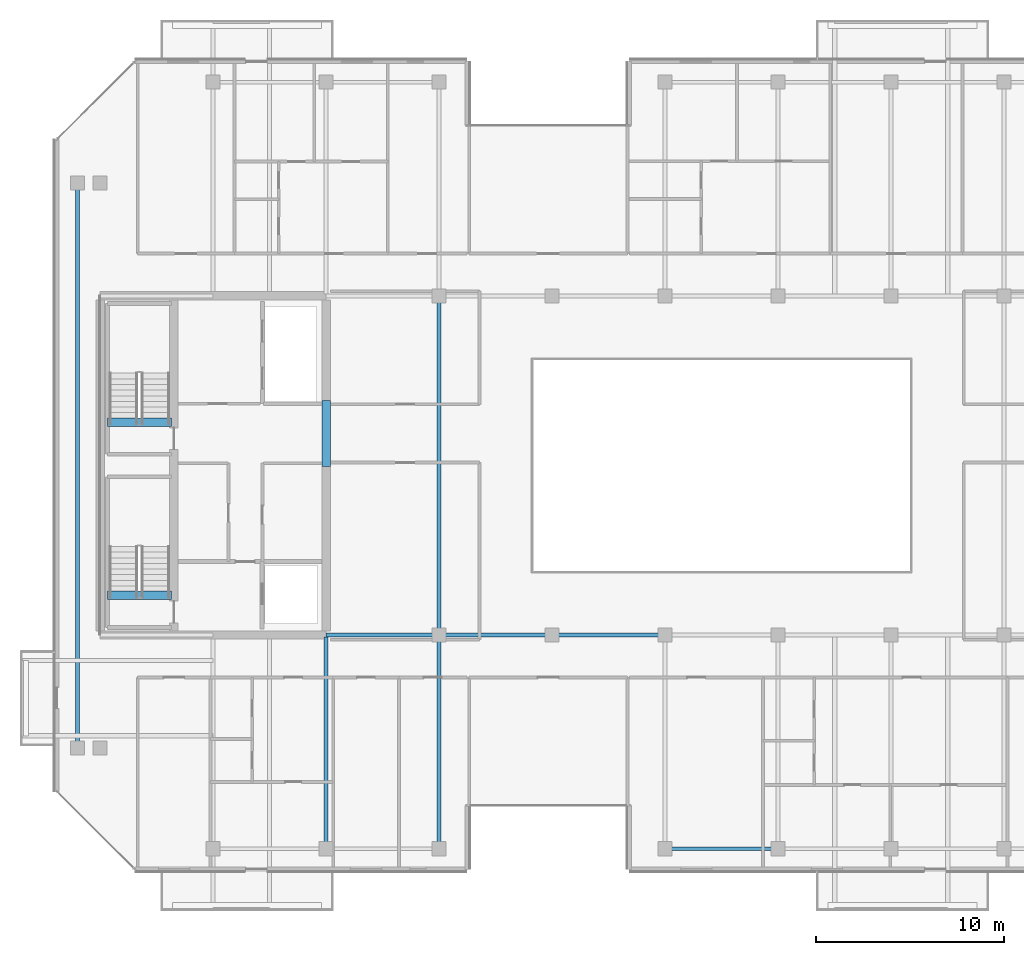
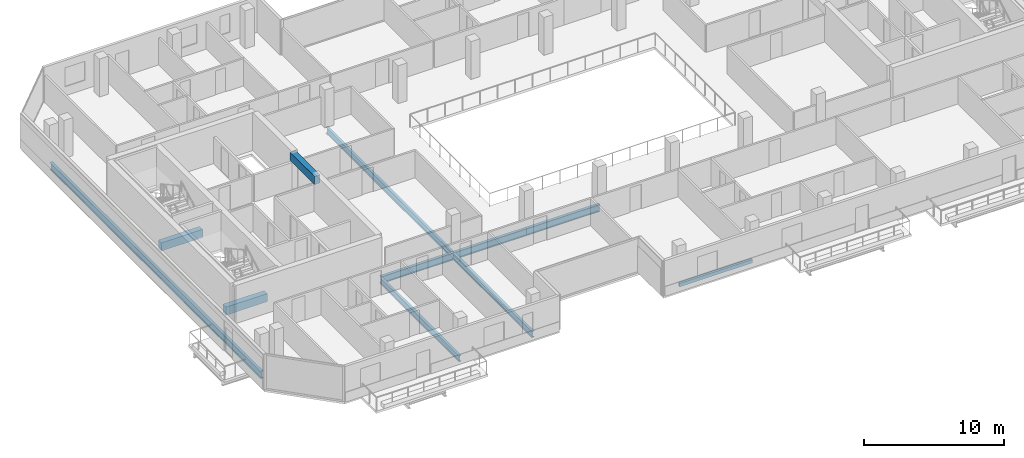
# One storey, part 5 of 28: 11 beams.
"""IFC4 building model written with IfcOpenShell, lengths in metres."""

import ifcopenshell
import ifcopenshell.guid

model = None  # the IFC model being written
_history = None  # IfcOwnerHistory: only IFC2X3 demands one
_inside = {}  # id of a spatial element -> (the spatial element, [elements in it])
_under = {}  # id of a project, library or spatial element -> (it, [spatial elements below it])
_declared = {}  # id of a project -> (the project, [libraries it declares])
_typed = {}  # id of a type object -> (the type object, [elements of that type])
_made_of = {}  # id of a material, layer set ... -> (it, [elements and type objects made of it])


def new_model(schema):
    """Start an empty IFC model of exactly this schema.

    Asked for "IFC4X3", IfcOpenShell would pick the latest addendum, in which some entities
    have other attributes; the version numbers below select the first issue.
    IFC2X3 requires an IfcOwnerHistory on every rooted entity: one is made here for all.
    """
    global model, _history
    if schema == "IFC4X3":
        model = ifcopenshell.file(schema_version=(4, 3, 0, 0))
    else:
        model = ifcopenshell.file(schema=schema)
    _inside.clear()
    _under.clear()
    _declared.clear()
    _typed.clear()
    _made_of.clear()
    _history = None
    if model.schema == "IFC2X3":
        org = make("IfcOrganization", Name="unknown")
        user = make(
            "IfcPersonAndOrganization",
            ThePerson=make("IfcPerson", FamilyName="unknown"),
            TheOrganization=org,
        )
        app = make(
            "IfcApplication",
            ApplicationDeveloper=org,
            Version="unknown",
            ApplicationFullName="unknown",
            ApplicationIdentifier="unknown",
        )
        _history = make(
            "IfcOwnerHistory",
            OwningUser=user,
            OwningApplication=app,
            ChangeAction="ADDED",
            CreationDate=0,
        )
    return model


def make(cls, **values):
    """One entity of the class cls with the attributes given. An attribute that is None is left unset."""
    return model.create_entity(
        cls, **{name: value for name, value in values.items() if value is not None}
    )


def rooted(cls, **values):
    """An entity with a GlobalId (a new one), such as an element, a storey or a relation."""
    return make(cls, GlobalId=ifcopenshell.guid.new(), OwnerHistory=_history, **values)


def si_unit(unit_type, name, prefix=None):
    """IfcSIUnit, for example si_unit("LENGTHUNIT", "METRE", prefix="MILLI")."""
    return make("IfcSIUnit", UnitType=unit_type, Prefix=prefix, Name=name)


def assignment(units):
    """IfcUnitAssignment: the units of a project."""
    return None if units is None else make("IfcUnitAssignment", Units=units)


def point(xyz):
    """IfcCartesianPoint."""
    return None if xyz is None else make("IfcCartesianPoint", Coordinates=xyz)


def direction(xyz):
    """IfcDirection."""
    return None if xyz is None else make("IfcDirection", DirectionRatios=xyz)


def frame(location, z_axis=None, x_axis=None):
    """IfcAxis2Placement3D, a coordinate frame: its origin and axes. An axis left out is left unset."""
    return make(
        "IfcAxis2Placement3D",
        Location=point(location),
        Axis=direction(z_axis),
        RefDirection=direction(x_axis),
    )


def frame_2d(location, x_axis=None):
    """IfcAxis2Placement2D, a coordinate frame in the plane: its origin and x axis."""
    return make(
        "IfcAxis2Placement2D", Location=point(location), RefDirection=direction(x_axis)
    )


def origin():
    """The frame at (0, 0, 0) with its axes left unset."""
    return frame((0.0, 0.0, 0.0))


def origin_2d():
    """The frame at (0, 0) in the plane with its x axis left unset."""
    return frame_2d((0.0, 0.0))


def place(relative_to, where):
    """IfcLocalPlacement: puts the frame where relative to a parent placement (None: the world)."""
    return make(
        "IfcLocalPlacement", PlacementRelTo=relative_to, RelativePlacement=where
    )


def context(
    kind, dimensions, precision=None, world=None, true_north=None, identifier=None
):
    """IfcGeometricRepresentationContext, for example the 3D "Model" context."""
    return make(
        "IfcGeometricRepresentationContext",
        ContextIdentifier=identifier,
        ContextType=kind,
        CoordinateSpaceDimension=dimensions,
        Precision=precision,
        WorldCoordinateSystem=world,
        TrueNorth=true_north,
    )


def subcontext(parent, identifier, kind, view, scale=None):
    """IfcGeometricRepresentationSubContext, for example "Body" below "Model"."""
    return make(
        "IfcGeometricRepresentationSubContext",
        ContextIdentifier=identifier,
        ContextType=kind,
        ParentContext=parent,
        TargetScale=scale,
        TargetView=view,
    )


def project(units=None, contexts=None):
    """IfcProject with its units and contexts."""
    return rooted(
        "IfcProject",
        Name="project",
        RepresentationContexts=contexts,
        UnitsInContext=assignment(units),
    )


def spatial(cls, under=None, at=None, **own):
    """A site, building, storey or space (cls), placed at a placement, below another one or the project."""
    s = rooted(cls, ObjectPlacement=at, **own)
    if under is not None:
        _under.setdefault(under.id(), (under, []))[1].append(s)
    return s


def profile(cls, at=None, kind="AREA", **sizes):
    """A parametric profile (cls). Its sizes go by their IFC names, for example OverallWidth=200.0."""
    return make(cls, ProfileType=kind, Position=at, **sizes)


def rectangle(**sizes):
    """IfcRectangleProfileDef."""
    return profile("IfcRectangleProfileDef", **sizes)


def hollow_rectangle(**sizes):
    """IfcRectangleHollowProfileDef."""
    return profile("IfcRectangleHollowProfileDef", **sizes)


def i_section(**sizes):
    """IfcIShapeProfileDef."""
    return profile("IfcIShapeProfileDef", **sizes)


def extrude(swept, where, along, depth):
    """IfcExtrudedAreaSolid: the profile swept, set in the frame where, extruded along a direction by depth."""
    return make(
        "IfcExtrudedAreaSolid",
        SweptArea=swept,
        Position=where,
        ExtrudedDirection=direction(along),
        Depth=depth,
    )


def shape(context_of_items, identifier, shape_type, items):
    """IfcShapeRepresentation: the items that make up one representation, for example the "Body"."""
    return make(
        "IfcShapeRepresentation",
        ContextOfItems=context_of_items,
        RepresentationIdentifier=identifier,
        RepresentationType=shape_type,
        Items=items,
    )


def material(Name=None, Category=None):
    """IfcMaterial."""
    return make("IfcMaterial", Name=Name, Category=Category)


def material_profile(
    of_material, cross_section, Name=None, Category=None, Priority=None
):
    """IfcMaterialProfile: a cross section and its material."""
    return make(
        "IfcMaterialProfile",
        Name=Name,
        Material=of_material,
        Profile=cross_section,
        Priority=Priority,
        Category=Category,
    )


def profile_set(profiles, Name=None, composite=None):
    """IfcMaterialProfileSet."""
    return make(
        "IfcMaterialProfileSet",
        Name=Name,
        MaterialProfiles=profiles,
        CompositeProfile=composite,
    )


def made_of(thing, what):
    """Note that an element or type object is made of a material, layer set ...; save() writes the relation."""
    if what is not None:
        _made_of.setdefault(what.id(), (what, []))[1].append(thing)
    return thing


def type_object(cls, material=None, **own):
    """A type object (cls), such as IfcWallType, which elements share."""
    return made_of(rooted(cls, **own), material)


def element(
    cls,
    number,
    at=None,
    inside=None,
    cuts=None,
    type_object=None,
    material=None,
    context=None,
    identifier="Body",
    shape_type=None,
    held_by="IfcProductDefinitionShape",
    body=None,
    shapes=None,
    **own,
):
    """One element of the class cls, such as IfcWall. Its Tag is "e" and its number.

    at: its placement. inside: the storey or other place that contains it. cuts: it is an
    opening in that element (IfcRelVoidsElement). A single representation is given by context,
    identifier, shape_type and body (its items); several are given by shapes. held_by: the class
    of the entity that holds the representations. save() writes the other relations.
    """
    e = rooted(cls, Tag="e%d" % number, ObjectPlacement=at, **own)
    if body is not None:
        shapes = [shape(context, identifier, shape_type, body)]
    if shapes is not None:
        e.Representation = make(held_by, Representations=shapes)
    if inside is not None:
        _inside.setdefault(inside.id(), (inside, []))[1].append(e)
    if cuts is not None:
        rooted(
            "IfcRelVoidsElement", RelatingBuildingElement=cuts, RelatedOpeningElement=e
        )
    if type_object is not None:
        _typed.setdefault(type_object.id(), (type_object, []))[1].append(e)
    return made_of(e, material)


def aggregate(whole, parts):
    """IfcRelAggregates: a whole, such as a stair, and the parts it consists of."""
    return rooted("IfcRelAggregates", RelatingObject=whole, RelatedObjects=parts)


def save(model, path):
    """Write the relations noted so far, then the file.

    IfcRelAggregates (storeys below a building ...), IfcRelContainedInSpatialStructure (elements
    in a storey), IfcRelDefinesByType, IfcRelAssociatesMaterial and IfcRelDeclares: one each for
    every whole, place, type object, material and project.
    """
    for whole, parts in _under.values():
        aggregate(whole, parts)
    for where, things in _inside.values():
        rooted(
            "IfcRelContainedInSpatialStructure",
            RelatedElements=things,
            RelatingStructure=where,
        )
    for kind, things in _typed.values():
        rooted("IfcRelDefinesByType", RelatedObjects=things, RelatingType=kind)
    for what, things in _made_of.values():
        rooted("IfcRelAssociatesMaterial", RelatedObjects=things, RelatingMaterial=what)
    for by, libraries in _declared.values():
        rooted("IfcRelDeclares", RelatingContext=by, RelatedDefinitions=libraries)
    model.write(path)


model = new_model("IFC4")

# Units and contexts
model_context = context("Model", 3, precision=1e-05, world=origin(), true_north=direction((0.0, 1.0)))
body_context = subcontext(model_context, "Body", "Model", "MODEL_VIEW")
ifc_project = project(units=[si_unit("LENGTHUNIT", "METRE"), si_unit("AREAUNIT", "SQUARE_METRE"), si_unit("VOLUMEUNIT", "CUBIC_METRE"), si_unit("PLANEANGLEUNIT", "RADIAN"), si_unit("MASSUNIT", "GRAM", prefix="KILO")], contexts=[model_context])

# Site, building, storey
site_placement = place(None, origin())
site = spatial("IfcSite", under=ifc_project, at=site_placement, CompositionType="ELEMENT")
building_placement = place(site_placement, origin())
building = spatial("IfcBuilding", under=site, at=building_placement, Name="Tanjung Sevakor Pilgrim Tower", CompositionType="ELEMENT")
storey_placement = place(building_placement, frame((0.0, 0.0, 222.75)))
storey = spatial("IfcBuildingStorey", under=building, at=storey_placement, Name="L62", CompositionType="ELEMENT", Elevation=222.75)

# Beams
ifc_material_1 = material(Name="Steel S355J2", Category="steel")
ifc_material_profile_1 = material_profile(ifc_material_1, i_section(OverallWidth=0.22900390625, OverallDepth=0.6123046875, WebThickness=0.011962890625, FlangeThickness=0.01953125, FilletRadius=0.0126953125, at=origin_2d()))
ifc_profile_set_1 = profile_set([ifc_material_profile_1], Name="Steel S355J2")
beam_type_1 = type_object("IfcBeamType", Name="BM-B-G4-UB_610x229x125", PredefinedType="BEAM", material=ifc_profile_set_1)
beam_1_placement = place(storey_placement, frame((22.800048828125, 18.60009765625, -0.526123046875), z_axis=(0.0, 1.0, 0.0), x_axis=(-1.0, 0.0, 0.0)))
element("IfcBeam", 1, at=beam_1_placement, inside=storey, type_object=beam_type_1, Name="L62 Short-End Edge Girder W", PredefinedType="BEAM", context=body_context, shape_type="SweptSolid", body=[
    extrude(i_section(OverallWidth=0.22900390625, OverallDepth=0.6123046875, WebThickness=0.011962890625, FlangeThickness=0.01953125, FilletRadius=0.0126953125, at=origin_2d()), origin(), (0.0, 0.0, 1.0), 30.0),
])
for number, where, z_axis, x_axis, name in (
    (2, (36.0, 24.60009765625, -0.526123046875), (1.0, 0.0, 0.0), (0.0, 1.0, 0.0), "L62 Primary Floor Girder MAIN Y246-02"),
    (3, (42.0, 24.60009765625, -0.526123046875), (1.0, 0.0, 0.0), (0.0, 1.0, 0.0), "L62 Primary Floor Girder MAIN Y246-03"),
    (4, (48.0, 24.60009765625, -0.526123046875), (1.0, 0.0, 0.0), (0.0, 1.0, 0.0), "L62 Primary Floor Girder MAIN Y246-04"),
):
    element("IfcBeam", number, at=place(storey_placement, frame(where, z_axis=z_axis, x_axis=x_axis)), inside=storey, type_object=beam_type_1, Name=name, PredefinedType="BEAM", context=body_context, shape_type="SweptSolid", body=[
        extrude(i_section(OverallWidth=0.22900390625, OverallDepth=0.6123046875, WebThickness=0.011962890625, FlangeThickness=0.01953125, FilletRadius=0.0126953125, at=origin_2d()), origin(), (0.0, 0.0, 1.0), 6.0),
    ])
ifc_material_2 = material(Name="Steel S355J2", Category="steel")
ifc_material_profile_2 = material_profile(ifc_material_2, i_section(OverallWidth=0.2119140625, OverallDepth=0.54443359375, WebThickness=0.0126953125, FlangeThickness=0.021240234375, FilletRadius=0.0126953125, at=origin_2d()))
ifc_profile_set_2 = profile_set([ifc_material_profile_2], Name="Steel S355J2")
beam_type_2 = type_object("IfcBeamType", Name="BM-B-G5-UB_533x210x122", PredefinedType="BEAM", material=ifc_profile_set_2)
beam_2_placement = place(storey_placement, frame((36.0, 13.25, -0.4921875), z_axis=(0.0, 1.0, 0.0), x_axis=(-1.0, 0.0, 0.0)))
element("IfcBeam", 5, at=beam_2_placement, inside=storey, type_object=beam_type_2, Name="L62 MAIN Girder 001", PredefinedType="BEAM", context=body_context, shape_type="SweptSolid", body=[
    extrude(i_section(OverallWidth=0.2119140625, OverallDepth=0.54443359375, WebThickness=0.0126953125, FlangeThickness=0.021240234375, FilletRadius=0.0126953125, at=origin_2d()), origin(), (0.0, 0.0, 1.0), 11.235595703125),
])
beam_3_placement = place(storey_placement, frame((42.0, 13.25, -0.4921875), z_axis=(0.0, 1.0, 0.0), x_axis=(-1.0, 0.0, 0.0)))
element("IfcBeam", 6, at=beam_3_placement, inside=storey, type_object=beam_type_2, Name="L62 MAIN Girder 003", PredefinedType="BEAM", context=body_context, shape_type="SweptSolid", body=[
    extrude(i_section(OverallWidth=0.2119140625, OverallDepth=0.54443359375, WebThickness=0.0126953125, FlangeThickness=0.021240234375, FilletRadius=0.0126953125, at=origin_2d()), origin(), (0.0, 0.0, 1.0), 11.35009765625),
])
beam_4_placement = place(storey_placement, frame((42.0, 24.60009765625, -0.4921875), z_axis=(0.0, 1.0, 0.0), x_axis=(-1.0, 0.0, 0.0)))
element("IfcBeam", 7, at=beam_4_placement, inside=storey, type_object=beam_type_2, Name="L62 MAIN Girder 004", PredefinedType="BEAM", context=body_context, shape_type="SweptSolid", body=[
    extrude(i_section(OverallWidth=0.2119140625, OverallDepth=0.54443359375, WebThickness=0.0126953125, FlangeThickness=0.021240234375, FilletRadius=0.0126953125, at=origin_2d()), origin(), (0.0, 0.0, 1.0), 18.0),
])
ifc_material_3 = material(Name="Concrete C60/75", Category="concrete")
ifc_material_profile_3 = material_profile(ifc_material_3, rectangle(XDim=0.449951171875, YDim=0.699951171875, at=origin_2d()))
ifc_profile_set_3 = profile_set([ifc_material_profile_3], Name="Concrete C60/75")
beam_type_3 = type_object("IfcBeamType", Name="BM-B-LN3-RC-BM_450x700", PredefinedType="LINTEL", material=ifc_profile_set_3)
beam_5_placement = place(storey_placement, frame((36.0, 33.550048828125, 2.72998046875), z_axis=(0.0, 1.0, 0.0), x_axis=(-1.0, 0.0, 0.0)))
element("IfcBeam", 8, at=beam_5_placement, inside=storey, type_object=beam_type_3, Name="L62 W Core Coupling Lintel", PredefinedType="LINTEL", context=body_context, shape_type="SweptSolid", body=[
    extrude(rectangle(XDim=0.449951171875, YDim=0.699951171875, at=origin_2d()), origin(), (0.0, 0.0, 1.0), 3.5),
])
for number, where, z_axis, x_axis, name in (
    (9, (24.39990234375, 26.699951171875, -0.35009765625), (1.0, 0.0, 0.0), (0.0, 1.0, 0.0), "L62 TS-W1 Stair Threshold Beam"),
    (10, (24.39990234375, 35.89990234375, -0.35009765625), (1.0, 0.0, 0.0), (0.0, 1.0, 0.0), "L62 TS-W2 Stair Threshold Beam"),
):
    element("IfcBeam", number, at=place(storey_placement, frame(where, z_axis=z_axis, x_axis=x_axis)), inside=storey, type_object=beam_type_3, Name=name, PredefinedType="LINTEL", context=body_context, shape_type="SweptSolid", body=[
        extrude(rectangle(XDim=0.449951171875, YDim=0.699951171875, at=origin_2d()), origin(), (0.0, 0.0, 1.0), 3.400146484375),
    ])
ifc_material_4 = material(Name="Steel S355J2", Category="steel")
ifc_material_profile_4 = material_profile(ifc_material_4, hollow_rectangle(XDim=0.199951171875, YDim=0.300048828125, WallThickness=0.012451171875, at=origin_2d()))
ifc_profile_set_4 = profile_set([ifc_material_profile_4], Name="Steel S355J2")
beam_type_4 = type_object("IfcBeamType", Name="BM-B-SP3-RHS_300x200x12.5", PredefinedType="SPANDREL", material=ifc_profile_set_4)
beam_6_placement = place(storey_placement, frame((54.0, 13.25, -0.3701171875), z_axis=(1.0, 0.0, 0.0), x_axis=(0.0, 1.0, 0.0)))
element("IfcBeam", 11, at=beam_6_placement, inside=storey, type_object=beam_type_4, Name="L62 Spandrel MAIN S-05", PredefinedType="SPANDREL", context=body_context, shape_type="SweptSolid", body=[
    extrude(hollow_rectangle(XDim=0.199951171875, YDim=0.300048828125, WallThickness=0.012451171875, at=origin_2d()), origin(), (0.0, 0.0, 1.0), 6.0),
])

save(model, "model.ifc")
